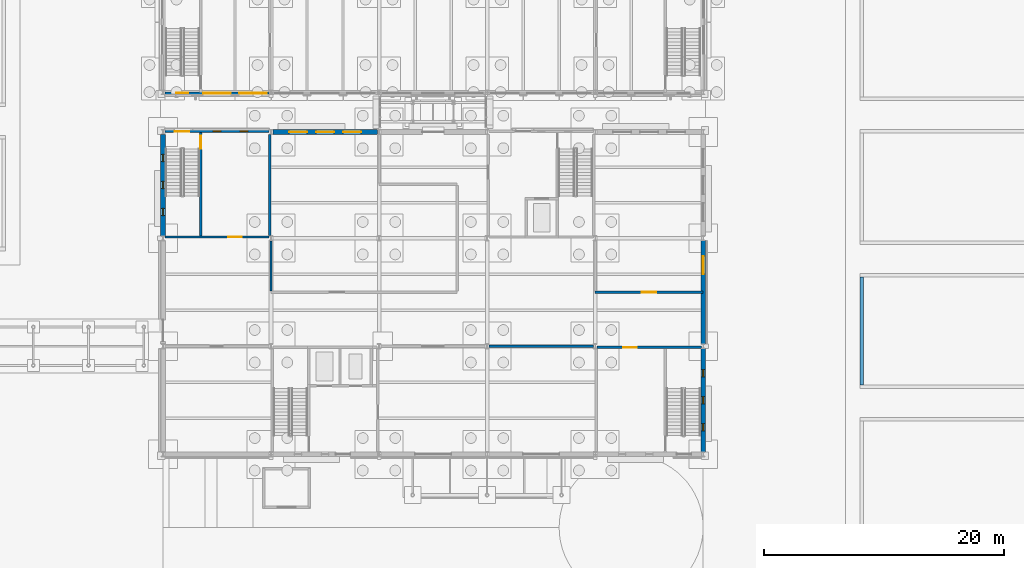
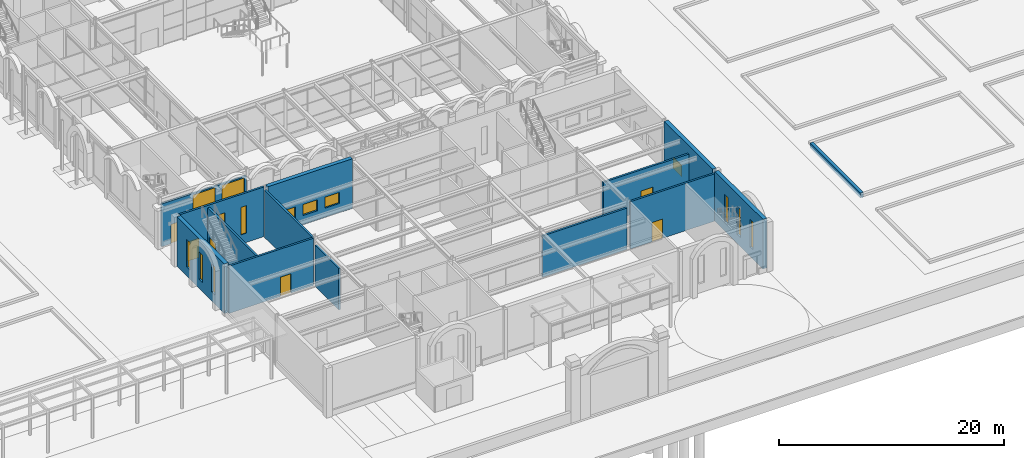
# One storey, part 70 of 126: 14 walls, 14 windows, 6 doors, 20 openings.
"""IFC4 building model written with IfcOpenShell, lengths in metres."""

from ifc_helpers import new_model, si_unit, direction, frame, frame_2d, origin, place, context, subcontext, project, spatial, rectangle, extrude, material, layer, layer_set, type_object, element, fill, save


model = new_model("IFC4")

# Units and contexts
model_context = context("Model", 3, precision=1e-05, world=origin(), true_north=direction((0.0, 1.0)))
body_context = subcontext(model_context, "Body", "Model", "MODEL_VIEW")
ifc_project = project(units=[si_unit("LENGTHUNIT", "METRE"), si_unit("AREAUNIT", "SQUARE_METRE"), si_unit("VOLUMEUNIT", "CUBIC_METRE"), si_unit("PLANEANGLEUNIT", "RADIAN"), si_unit("MASSUNIT", "GRAM", prefix="KILO")], contexts=[model_context])

# Site, building, storey
site_placement = place(None, origin())
site = spatial("IfcSite", under=ifc_project, at=site_placement, CompositionType="ELEMENT")
building_placement = place(site_placement, origin())
building = spatial("IfcBuilding", under=site, at=building_placement, Name="Kallimachos Central Library", CompositionType="ELEMENT")
storey_placement = place(building_placement, origin())
storey = spatial("IfcBuildingStorey", under=building, at=storey_placement, Name="L00", CompositionType="ELEMENT", Elevation=0.0)

# Wall
ifc_material_1 = material(Name="Concrete C30/37", Category="concrete")
ifc_layer_1 = layer(ifc_material_1, 0.199951171875)
ifc_layer_set_1 = layer_set([ifc_layer_1], Name="Compartment wall 200")
wall_type_1 = type_object("IfcWallType", Name="Compartment wall 200", PredefinedType="SOLIDWALL", material=ifc_layer_set_1)
wall_1_placement = place(storey_placement, frame((92.653564453125, 27.0, 0.0), z_axis=(0.0, 0.0, 1.0), x_axis=(1.0, 0.0, 0.0)))
element("IfcWall", 1, at=wall_1_placement, inside=storey, type_object=wall_type_1, Name="V5-WAL-L00-045", PredefinedType="SOLIDWALL", context=body_context, shape_type="SweptSolid", body=[
    extrude(rectangle(XDim=8.69287109375, YDim=0.199951171875, at=frame_2d((4.346435546875, 0.0))), origin(), (0.0, 0.0, 1.0), 4.5),
])

# Wall, opening, door
wall_2_placement = place(storey_placement, frame((101.5, 31.5, 0.0), z_axis=(0.0, 0.0, 1.0), x_axis=(1.0, 0.0, 0.0)))
wall_2 = element("IfcWall", 2, at=wall_2_placement, inside=storey, type_object=wall_type_1, Name="V5-WAL-L00-047", PredefinedType="SOLIDWALL", context=body_context, shape_type="SweptSolid", body=[
    extrude(rectangle(XDim=9.0, YDim=0.199951171875, at=frame_2d((4.5, 0.0))), origin(), (0.0, 0.0, 1.0), 4.5),
])
opening_1_placement = place(wall_2_placement, frame((3.89990234375, 0.0, 0.0)))
opening_1 = element("IfcOpeningElement", 3, at=opening_1_placement, cuts=wall_2, Name="Opening D93", PredefinedType="OPENING", context=body_context, shape_type="SweptSolid", body=[
    extrude(rectangle(XDim=1.199951171875, YDim=2.199951171875, at=frame_2d((0.60009765625, 1.10009765625))), frame((0.0, 0.10986328125, 0.0), z_axis=(0.0, -1.0, 0.0), x_axis=(1.0, 0.0, 0.0)), (0.0, 0.0, 1.0), 0.219970703125),
])
ifc_material_2 = material(Name="Steel fire door", Category="steel")
door_type_1 = type_object("IfcDoorType", Name="Fire door EI2 90 1200 x 2200", OperationType="DOUBLE_DOOR_SINGLE_SWING", PredefinedType="DOOR", material=ifc_material_2)
door_1_placement = place(opening_1_placement, origin())
door_1 = element("IfcDoor", 4, at=door_1_placement, inside=storey, type_object=door_type_1, Name="Plant Room 2 door", OperationType="DOUBLE_DOOR_SINGLE_SWING", OverallHeight=2.199951171875, OverallWidth=1.199951171875, PredefinedType="DOOR", context=body_context, shape_type="SweptSolid", body=[
    extrude(rectangle(XDim=1.199951171875, YDim=2.199951171875, at=frame_2d((0.60009765625, 1.10009765625))), frame((0.0, 0.02490234375, 0.0), z_axis=(0.0, -1.0, 0.0), x_axis=(1.0, 0.0, 0.0)), (0.0, 0.0, 1.0), 0.050048828125),
])
fill(opening_1, door_1)

# Wall
wall_3_placement = place(storey_placement, frame((74.5, 31.60009765625, 0.0), z_axis=(0.0, 0.0, 1.0), x_axis=(0.0, 1.0, 0.0)))
element("IfcWall", 5, at=wall_3_placement, inside=storey, type_object=wall_type_1, Name="V5-WAL-L00-049", PredefinedType="SOLIDWALL", context=body_context, shape_type="SweptSolid", body=[
    extrude(rectangle(XDim=4.183837890625, YDim=0.199951171875, at=frame_2d((2.091796875, 0.0))), origin(), (0.0, 0.0, 1.0), 4.5),
])

# Wall, opening, door
ifc_material_3 = material(Name="Concrete C30/37", Category="concrete")
ifc_layer_2 = layer(ifc_material_3, 0.199951171875)
ifc_layer_set_2 = layer_set([ifc_layer_2], Name="Core wall 200")
wall_type_2 = type_object("IfcWallType", Name="Core wall 200", PredefinedType="SOLIDWALL", material=ifc_layer_set_2)
wall_4_placement = place(storey_placement, frame((65.64990234375, 36.10009765625, 0.0), z_axis=(0.0, 0.0, 1.0), x_axis=(1.0, 0.0, 0.0)))
wall_4 = element("IfcWall", 6, at=wall_4_placement, inside=storey, type_object=wall_type_2, Name="V5-WAL-L00-037", PredefinedType="SOLIDWALL", context=body_context, shape_type="SweptSolid", body=[
    extrude(rectangle(XDim=8.696533203125, YDim=0.199951171875, at=frame_2d((4.34814453125, 0.0))), origin(), (0.0, 0.0, 1.0), 5.14990234375),
])
opening_2_placement = place(wall_4_placement, frame((5.300048828125, 0.0, 0.0)))
opening_2 = element("IfcOpeningElement", 7, at=opening_2_placement, cuts=wall_4, Name="Opening D87", PredefinedType="OPENING", context=body_context, shape_type="SweptSolid", body=[
    extrude(rectangle(XDim=1.10009765625, YDim=2.10009765625, at=frame_2d((0.550048828125, 1.050048828125))), frame((0.0, 0.10986328125, 0.0), z_axis=(0.0, -1.0, 0.0), x_axis=(1.0, 0.0, 0.0)), (0.0, 0.0, 1.0), 0.219970703125),
])
ifc_material_4 = material(Name="Steel fire door", Category="steel")
door_type_2 = type_object("IfcDoorType", Name="Fire door EI2 90 1100 x 2100", OperationType="NOTDEFINED", PredefinedType="DOOR", material=ifc_material_4)
door_2_placement = place(opening_2_placement, origin())
door_2 = element("IfcDoor", 8, at=door_2_placement, inside=storey, type_object=door_type_2, Name="ST15 lobby door L00", OperationType="SINGLE_SWING_RIGHT", OverallHeight=2.10009765625, OverallWidth=1.10009765625, PredefinedType="DOOR", context=body_context, shape_type="SweptSolid", body=[
    extrude(rectangle(XDim=1.10009765625, YDim=2.10009765625, at=frame_2d((0.550048828125, 1.050048828125))), frame((0.0, 0.02490234375, 0.0), z_axis=(0.0, -1.0, 0.0), x_axis=(1.0, 0.0, 0.0)), (0.0, 0.0, 1.0), 0.050048828125),
])
fill(opening_2, door_2)

# Wall
wall_5_placement = place(storey_placement, frame((74.39990234375, 36.216064453125, 0.0), z_axis=(0.0, 0.0, 1.0), x_axis=(0.0, 1.0, 0.0)))
element("IfcWall", 9, at=wall_5_placement, inside=storey, type_object=wall_type_2, Name="V5-WAL-L00-038", PredefinedType="SOLIDWALL", context=body_context, shape_type="SweptSolid", body=[
    extrude(rectangle(XDim=8.433837890625, YDim=0.199951171875, at=frame_2d((4.216796875, 0.0))), origin(), (0.0, 0.0, 1.0), 5.14990234375),
])

# Wall, opening, door
wall_6_placement = place(storey_placement, frame((68.64990234375, 36.199951171875, 0.0), z_axis=(0.0, 0.0, 1.0), x_axis=(0.0, 1.0, 0.0)))
wall_6 = element("IfcWall", 10, at=wall_6_placement, inside=storey, type_object=wall_type_2, Name="V5-WAL-L00-039", PredefinedType="SOLIDWALL", context=body_context, shape_type="SweptSolid", body=[
    extrude(rectangle(XDim=8.60009765625, YDim=0.199951171875, at=frame_2d((4.300048828125, 0.0))), origin(), (0.0, 0.0, 1.0), 5.14990234375),
])
opening_3_placement = place(wall_6_placement, frame((7.25, 0.0, 0.0)))
opening_3 = element("IfcOpeningElement", 11, at=opening_3_placement, cuts=wall_6, Name="Opening D86", PredefinedType="OPENING", context=body_context, shape_type="SweptSolid", body=[
    extrude(rectangle(XDim=1.10009765625, YDim=2.10009765625, at=frame_2d((0.550048828125, 1.050048828125))), frame((0.0, 0.10986328125, 0.0), z_axis=(0.0, -1.0, 0.0), x_axis=(1.0, 0.0, 0.0)), (0.0, 0.0, 1.0), 0.219970703125),
])
door_3_placement = place(opening_3_placement, origin())
door_3 = element("IfcDoor", 12, at=door_3_placement, inside=storey, type_object=door_type_2, Name="ST15 stair door L00", OperationType="SINGLE_SWING_LEFT", OverallHeight=2.10009765625, OverallWidth=1.10009765625, PredefinedType="DOOR", context=body_context, shape_type="SweptSolid", body=[
    extrude(rectangle(XDim=1.10009765625, YDim=2.10009765625, at=frame_2d((0.550048828125, 1.050048828125))), frame((0.0, 0.02490234375, 0.0), z_axis=(0.0, -1.0, 0.0), x_axis=(1.0, 0.0, 0.0)), (0.0, 0.0, 1.0), 0.050048828125),
])
fill(opening_3, door_3)

wall_7_placement = place(storey_placement, frame((101.653564453125, 26.89990234375, 0.0), z_axis=(0.0, 0.0, 1.0), x_axis=(1.0, 0.0, 0.0)))
wall_7 = element("IfcWall", 13, at=wall_7_placement, inside=storey, type_object=wall_type_2, Name="V5-WAL-L00-040", PredefinedType="SOLIDWALL", context=body_context, shape_type="SweptSolid", body=[
    extrude(rectangle(XDim=8.696533203125, YDim=0.199951171875, at=frame_2d((4.34814453125, 0.0))), origin(), (0.0, 0.0, 1.0), 5.14990234375),
])
opening_4_placement = place(wall_7_placement, frame((2.196533203125, 0.0, 0.0)))
opening_4 = element("IfcOpeningElement", 14, at=opening_4_placement, cuts=wall_7, Name="Opening D89", PredefinedType="OPENING", context=body_context, shape_type="SweptSolid", body=[
    extrude(rectangle(XDim=1.10009765625, YDim=2.10009765625, at=frame_2d((0.550048828125, 1.050048828125))), frame((0.0, 0.10986328125, 0.0), z_axis=(0.0, -1.0, 0.0), x_axis=(1.0, 0.0, 0.0)), (0.0, 0.0, 1.0), 0.219970703125),
])
door_4_placement = place(opening_4_placement, frame((1.10009765625, 0.0, 0.0), z_axis=(0.0, 0.0, 1.0), x_axis=(-1.0, 0.0, 0.0)))
door_4 = element("IfcDoor", 15, at=door_4_placement, inside=storey, type_object=door_type_2, Name="ST16 lobby door L00", OperationType="SINGLE_SWING_LEFT", OverallHeight=2.10009765625, OverallWidth=1.10009765625, PredefinedType="DOOR", context=body_context, shape_type="SweptSolid", body=[
    extrude(rectangle(XDim=1.10009765625, YDim=2.10009765625, at=frame_2d((0.550048828125, 1.050048828125))), frame((0.0, 0.02490234375, 0.0), z_axis=(0.0, -1.0, 0.0), x_axis=(1.0, 0.0, 0.0)), (0.0, 0.0, 1.0), 0.050048828125),
])
fill(opening_4, door_4)

# Wall
ifc_material_5 = material(Name="Granite kerb stone", Category="masonry")
ifc_layer_3 = layer(ifc_material_5, 0.300048828125)
ifc_layer_set_3 = layer_set([ifc_layer_3], Name="Granite kerb 300")
wall_type_3 = type_object("IfcWallType", Name="Granite kerb 300", PredefinedType="SOLIDWALL", material=ifc_layer_set_3)
wall_8_placement = place(storey_placement, frame((123.699951171875, 23.77490234375, -0.300048828125), z_axis=(0.0, 0.0, 1.0), x_axis=(0.0, 1.0, 0.0)))
element("IfcWall", 16, at=wall_8_placement, inside=storey, type_object=wall_type_3, Name="Garden bed kerb west 122-22", PredefinedType="SOLIDWALL", context=body_context, shape_type="SweptSolid", body=[
    extrude(rectangle(XDim=9.0, YDim=0.300048828125, at=frame_2d((4.5, 0.0))), origin(), (0.0, 0.0, 1.0), 0.550048828125),
])

# Wall, openings, windows
ifc_material_6 = material(Name="Pentelic marble masonry", Category="masonry")
ifc_layer_4 = layer(ifc_material_6, 0.39990234375)
ifc_layer_set_4 = layer_set([ifc_layer_4], Name="Stone masonry wall 400")
wall_type_4 = type_object("IfcWallType", Name="Stone masonry wall 400", PredefinedType="SOLIDWALL", material=ifc_layer_set_4)
wall_9_placement = place(storey_placement, frame((74.64990234375, 44.85009765625, 0.0), z_axis=(0.0, 0.0, 1.0), x_axis=(1.0, 0.0, 0.0)))
wall_9 = element("IfcWall", 17, at=wall_9_placement, inside=storey, type_object=wall_type_4, Name="V5-WAL-L00-016", PredefinedType="SOLIDWALL", context=body_context, shape_type="SweptSolid", body=[
    extrude(rectangle(XDim=8.7001953125, YDim=0.39990234375, at=frame_2d((4.35009765625, 0.0))), origin(), (0.0, 0.0, 1.0), 5.39990234375),
])
opening_5_placement = place(wall_9_placement, frame((1.35009765625, 0.0, 1.0)))
opening_5 = element("IfcOpeningElement", 18, at=opening_5_placement, cuts=wall_9, Name="Opening WN14", PredefinedType="OPENING", context=body_context, shape_type="SweptSolid", body=[
    extrude(rectangle(XDim=1.5, YDim=1.199951171875, at=frame_2d((0.75, 0.60009765625))), frame((0.0, 0.2099609375, 0.0), z_axis=(0.0, -1.0, 0.0), x_axis=(1.0, 0.0, 0.0)), (0.0, 0.0, 1.0), 0.419921875),
])
opening_6_placement = place(wall_9_placement, frame((3.60009765625, 0.0, 1.0)))
opening_6 = element("IfcOpeningElement", 19, at=opening_6_placement, cuts=wall_9, Name="Opening WN15", PredefinedType="OPENING", context=body_context, shape_type="SweptSolid", body=[
    extrude(rectangle(XDim=1.5, YDim=1.199951171875, at=frame_2d((0.75, 0.60009765625))), frame((0.0, 0.2099609375, 0.0), z_axis=(0.0, -1.0, 0.0), x_axis=(1.0, 0.0, 0.0)), (0.0, 0.0, 1.0), 0.419921875),
])
opening_7_placement = place(wall_9_placement, frame((5.85009765625, 0.0, 1.0)))
opening_7 = element("IfcOpeningElement", 20, at=opening_7_placement, cuts=wall_9, Name="Opening WN16", PredefinedType="OPENING", context=body_context, shape_type="SweptSolid", body=[
    extrude(rectangle(XDim=1.5, YDim=1.199951171875, at=frame_2d((0.75, 0.60009765625))), frame((0.0, 0.2099609375, 0.0), z_axis=(0.0, -1.0, 0.0), x_axis=(1.0, 0.0, 0.0)), (0.0, 0.0, 1.0), 0.419921875),
])
ifc_material_7 = material(Name="Anodised aluminium louvre", Category="aluminium")
window_type_1 = type_object("IfcWindowType", Name="Plant louvre 1500 x 1200", PartitioningType="SINGLE_PANEL", PredefinedType="WINDOW", material=ifc_material_7)
window_1_placement = place(opening_5_placement, origin())
window_1 = element("IfcWindow", 21, at=window_1_placement, inside=storey, type_object=window_type_1, Name="V5-WIN-L00-007", OverallHeight=1.199951171875, OverallWidth=1.5, PartitioningType="SINGLE_PANEL", PredefinedType="WINDOW", context=body_context, shape_type="SweptSolid", body=[
    extrude(rectangle(XDim=1.5, YDim=1.199951171875, at=frame_2d((0.75, 0.60009765625))), frame((0.0, 0.030029296875, 0.0), z_axis=(0.0, -1.0, 0.0), x_axis=(1.0, 0.0, 0.0)), (0.0, 0.0, 1.0), 0.06005859375),
])
fill(opening_5, window_1)
window_2_placement = place(opening_6_placement, origin())
window_2 = element("IfcWindow", 22, at=window_2_placement, inside=storey, type_object=window_type_1, Name="V5-WIN-L00-008", OverallHeight=1.199951171875, OverallWidth=1.5, PartitioningType="SINGLE_PANEL", PredefinedType="WINDOW", context=body_context, shape_type="SweptSolid", body=[
    extrude(rectangle(XDim=1.5, YDim=1.199951171875, at=frame_2d((0.75, 0.60009765625))), frame((0.0, 0.030029296875, 0.0), z_axis=(0.0, -1.0, 0.0), x_axis=(1.0, 0.0, 0.0)), (0.0, 0.0, 1.0), 0.06005859375),
])
fill(opening_6, window_2)
window_3_placement = place(opening_7_placement, origin())
window_3 = element("IfcWindow", 23, at=window_3_placement, inside=storey, type_object=window_type_1, Name="V5-WIN-L00-009", OverallHeight=1.199951171875, OverallWidth=1.5, PartitioningType="SINGLE_PANEL", PredefinedType="WINDOW", context=body_context, shape_type="SweptSolid", body=[
    extrude(rectangle(XDim=1.5, YDim=1.199951171875, at=frame_2d((0.75, 0.60009765625))), frame((0.0, 0.030029296875, 0.0), z_axis=(0.0, -1.0, 0.0), x_axis=(1.0, 0.0, 0.0)), (0.0, 0.0, 1.0), 0.06005859375),
])
fill(opening_7, window_3)

# Wall, opening, window
wall_10_placement = place(storey_placement, frame((110.5, 27.199951171875, 0.0), z_axis=(0.0, 0.0, 1.0), x_axis=(0.0, 1.0, 0.0)))
wall_10 = element("IfcWall", 24, at=wall_10_placement, inside=storey, type_object=wall_type_4, Name="V5-WAL-L00-024", PredefinedType="SOLIDWALL", context=body_context, shape_type="SweptSolid", body=[
    extrude(rectangle(XDim=8.60009765625, YDim=0.39990234375, at=frame_2d((4.300048828125, 0.0))), origin(), (0.0, 0.0, 1.0), 5.39990234375),
])
opening_8_placement = place(wall_10_placement, frame((5.800048828125, 0.0, 1.0)))
opening_8 = element("IfcOpeningElement", 25, at=opening_8_placement, cuts=wall_10, Name="Opening WN28", PredefinedType="OPENING", context=body_context, shape_type="SweptSolid", body=[
    extrude(rectangle(XDim=1.5, YDim=1.199951171875, at=frame_2d((0.75, 0.60009765625))), frame((0.0, 0.2099609375, 0.0), z_axis=(0.0, -1.0, 0.0), x_axis=(1.0, 0.0, 0.0)), (0.0, 0.0, 1.0), 0.419921875),
])
window_4_placement = place(opening_8_placement, origin())
window_4 = element("IfcWindow", 26, at=window_4_placement, inside=storey, type_object=window_type_1, Name="V5-WIN-L00-021", OverallHeight=1.199951171875, OverallWidth=1.5, PartitioningType="SINGLE_PANEL", PredefinedType="WINDOW", context=body_context, shape_type="SweptSolid", body=[
    extrude(rectangle(XDim=1.5, YDim=1.199951171875, at=frame_2d((0.75, 0.60009765625))), frame((0.0, 0.030029296875, 0.0), z_axis=(0.0, -1.0, 0.0), x_axis=(1.0, 0.0, 0.0)), (0.0, 0.0, 1.0), 0.06005859375),
])
fill(opening_8, window_4)

# Wall, openings, door, windows
ifc_material_8 = material(Name="Concrete C30/37", Category="concrete")
ifc_layer_5 = layer(ifc_material_8, 0.199951171875)
ifc_layer_set_5 = layer_set([ifc_layer_5], Name="Stone-clad core wall 200")
wall_type_5 = type_object("IfcWallType", Name="Stone-clad core wall 200", PredefinedType="SOLIDWALL", material=ifc_layer_set_5)
wall_11_placement = place(storey_placement, frame((65.64990234375, 44.89990234375, 0.0), z_axis=(0.0, 0.0, 1.0), x_axis=(1.0, 0.0, 0.0)))
wall_11 = element("IfcWall", 27, at=wall_11_placement, inside=storey, type_object=wall_type_5, Name="V5-WAL-L00-015", PredefinedType="SOLIDWALL", context=body_context, shape_type="SweptSolid", body=[
    extrude(rectangle(XDim=8.7001953125, YDim=0.199951171875, at=frame_2d((4.35009765625, 0.0))), origin(), (0.0, 0.0, 1.0), 5.39990234375),
])
opening_9_placement = place(wall_11_placement, frame((0.85009765625, 0.0, 0.0)))
opening_9 = element("IfcOpeningElement", 28, at=opening_9_placement, cuts=wall_11, Name="Opening D21", PredefinedType="OPENING", context=body_context, shape_type="SweptSolid", body=[
    extrude(rectangle(XDim=1.199951171875, YDim=2.10009765625, at=frame_2d((0.60009765625, 1.050048828125))), frame((0.0, 0.10986328125, 0.0), z_axis=(0.0, -1.0, 0.0), x_axis=(1.0, 0.0, 0.0)), (0.0, 0.0, 1.0), 0.219970703125),
])
opening_10_placement = place(wall_11_placement, frame((4.050048828125, 0.0, 1.0)))
opening_10 = element("IfcOpeningElement", 29, at=opening_10_placement, cuts=wall_11, Name="Opening WN12", PredefinedType="OPENING", context=body_context, shape_type="SweptSolid", body=[
    extrude(rectangle(XDim=0.60009765625, YDim=3.0, at=frame_2d((0.300048828125, 1.5))), frame((0.0, 0.10986328125, 0.0), z_axis=(0.0, -1.0, 0.0), x_axis=(1.0, 0.0, 0.0)), (0.0, 0.0, 1.0), 0.219970703125),
])
opening_11_placement = place(wall_11_placement, frame((6.300048828125, 0.0, 1.0)))
opening_11 = element("IfcOpeningElement", 30, at=opening_11_placement, cuts=wall_11, Name="Opening WN13", PredefinedType="OPENING", context=body_context, shape_type="SweptSolid", body=[
    extrude(rectangle(XDim=0.60009765625, YDim=3.0, at=frame_2d((0.300048828125, 1.5))), frame((0.0, 0.10986328125, 0.0), z_axis=(0.0, -1.0, 0.0), x_axis=(1.0, 0.0, 0.0)), (0.0, 0.0, 1.0), 0.219970703125),
])
ifc_material_9 = material(Name="Steel fire door", Category="steel")
door_type_3 = type_object("IfcDoorType", Name="Fire door EI2 90 1200 x 2100", OperationType="DOUBLE_DOOR_SINGLE_SWING", PredefinedType="DOOR", material=ifc_material_9)
door_5_placement = place(opening_9_placement, origin())
door_5 = element("IfcDoor", 31, at=door_5_placement, inside=storey, type_object=door_type_3, Name="Exit Door W stair", OperationType="DOUBLE_DOOR_SINGLE_SWING", OverallHeight=2.10009765625, OverallWidth=1.199951171875, PredefinedType="DOOR", context=body_context, shape_type="SweptSolid", body=[
    extrude(rectangle(XDim=1.199951171875, YDim=2.10009765625, at=frame_2d((0.60009765625, 1.050048828125))), frame((0.0, 0.02490234375, 0.0), z_axis=(0.0, -1.0, 0.0), x_axis=(1.0, 0.0, 0.0)), (0.0, 0.0, 1.0), 0.050048828125),
])
fill(opening_9, door_5)
ifc_material_10 = material(Name="Anodised aluminium and laminated glass", Category="aluminium")
window_type_2 = type_object("IfcWindowType", Name="Tall slot window 600 x 3000", PartitioningType="SINGLE_PANEL", PredefinedType="WINDOW", material=ifc_material_10)
window_5_placement = place(opening_10_placement, origin())
window_5 = element("IfcWindow", 32, at=window_5_placement, inside=storey, type_object=window_type_2, Name="V5-WIN-L00-005", OverallHeight=3.0, OverallWidth=0.60009765625, PartitioningType="SINGLE_PANEL", PredefinedType="WINDOW", context=body_context, shape_type="SweptSolid", body=[
    extrude(rectangle(XDim=0.60009765625, YDim=3.0, at=frame_2d((0.300048828125, 1.5))), frame((0.0, 0.030029296875, 0.0), z_axis=(0.0, -1.0, 0.0), x_axis=(1.0, 0.0, 0.0)), (0.0, 0.0, 1.0), 0.06005859375),
])
fill(opening_10, window_5)
window_6_placement = place(opening_11_placement, origin())
window_6 = element("IfcWindow", 33, at=window_6_placement, inside=storey, type_object=window_type_2, Name="V5-WIN-L00-006", OverallHeight=3.0, OverallWidth=0.60009765625, PartitioningType="SINGLE_PANEL", PredefinedType="WINDOW", context=body_context, shape_type="SweptSolid", body=[
    extrude(rectangle(XDim=0.60009765625, YDim=3.0, at=frame_2d((0.300048828125, 1.5))), frame((0.0, 0.030029296875, 0.0), z_axis=(0.0, -1.0, 0.0), x_axis=(1.0, 0.0, 0.0)), (0.0, 0.0, 1.0), 0.06005859375),
])
fill(opening_11, window_6)

# Wall, openings, windows
ifc_material_11 = material(Name="Concrete C30/37", Category="concrete")
ifc_layer_6 = layer(ifc_material_11, 0.39990234375)
ifc_layer_set_6 = layer_set([ifc_layer_6], Name="Stone-clad core wall 400")
wall_type_6 = type_object("IfcWallType", Name="Stone-clad core wall 400", PredefinedType="SOLIDWALL", material=ifc_layer_set_6)
wall_12_placement = place(storey_placement, frame((65.5, 36.199951171875, 0.0), z_axis=(0.0, 0.0, 1.0), x_axis=(0.0, 1.0, 0.0)))
wall_12 = element("IfcWall", 34, at=wall_12_placement, inside=storey, type_object=wall_type_6, Name="V5-WAL-L00-022", PredefinedType="SOLIDWALL", context=body_context, shape_type="SweptSolid", body=[
    extrude(rectangle(XDim=8.449951171875, YDim=0.39990234375, at=frame_2d((4.22509765625, 0.0))), origin(), (0.0, 0.0, 1.0), 5.39990234375),
])
opening_12_placement = place(wall_12_placement, frame((1.675048828125, 0.0, 1.0)))
opening_12 = element("IfcOpeningElement", 35, at=opening_12_placement, cuts=wall_12, Name="Opening WN22", PredefinedType="OPENING", context=body_context, shape_type="SweptSolid", body=[
    extrude(rectangle(XDim=0.60009765625, YDim=3.0, at=frame_2d((0.300048828125, 1.5))), frame((0.0, 0.2099609375, 0.0), z_axis=(0.0, -1.0, 0.0), x_axis=(1.0, 0.0, 0.0)), (0.0, 0.0, 1.0), 0.419921875),
])
opening_13_placement = place(wall_12_placement, frame((3.925048828125, 0.0, 1.0)))
opening_13 = element("IfcOpeningElement", 36, at=opening_13_placement, cuts=wall_12, Name="Opening WN23", PredefinedType="OPENING", context=body_context, shape_type="SweptSolid", body=[
    extrude(rectangle(XDim=0.60009765625, YDim=3.0, at=frame_2d((0.300048828125, 1.5))), frame((0.0, 0.2099609375, 0.0), z_axis=(0.0, -1.0, 0.0), x_axis=(1.0, 0.0, 0.0)), (0.0, 0.0, 1.0), 0.419921875),
])
opening_14_placement = place(wall_12_placement, frame((6.175048828125, 0.0, 1.0)))
opening_14 = element("IfcOpeningElement", 37, at=opening_14_placement, cuts=wall_12, Name="Opening WN24", PredefinedType="OPENING", context=body_context, shape_type="SweptSolid", body=[
    extrude(rectangle(XDim=0.60009765625, YDim=3.0, at=frame_2d((0.300048828125, 1.5))), frame((0.0, 0.2099609375, 0.0), z_axis=(0.0, -1.0, 0.0), x_axis=(1.0, 0.0, 0.0)), (0.0, 0.0, 1.0), 0.419921875),
])
window_7_placement = place(opening_12_placement, origin())
window_7 = element("IfcWindow", 38, at=window_7_placement, inside=storey, type_object=window_type_2, Name="V5-WIN-L00-015", OverallHeight=3.0, OverallWidth=0.60009765625, PartitioningType="SINGLE_PANEL", PredefinedType="WINDOW", context=body_context, shape_type="SweptSolid", body=[
    extrude(rectangle(XDim=0.60009765625, YDim=3.0, at=frame_2d((0.300048828125, 1.5))), frame((0.0, 0.030029296875, 0.0), z_axis=(0.0, -1.0, 0.0), x_axis=(1.0, 0.0, 0.0)), (0.0, 0.0, 1.0), 0.06005859375),
])
fill(opening_12, window_7)
window_8_placement = place(opening_13_placement, origin())
window_8 = element("IfcWindow", 39, at=window_8_placement, inside=storey, type_object=window_type_2, Name="V5-WIN-L00-016", OverallHeight=3.0, OverallWidth=0.60009765625, PartitioningType="SINGLE_PANEL", PredefinedType="WINDOW", context=body_context, shape_type="SweptSolid", body=[
    extrude(rectangle(XDim=0.60009765625, YDim=3.0, at=frame_2d((0.300048828125, 1.5))), frame((0.0, 0.030029296875, 0.0), z_axis=(0.0, -1.0, 0.0), x_axis=(1.0, 0.0, 0.0)), (0.0, 0.0, 1.0), 0.06005859375),
])
fill(opening_13, window_8)
window_9_placement = place(opening_14_placement, origin())
window_9 = element("IfcWindow", 40, at=window_9_placement, inside=storey, type_object=window_type_2, Name="V5-WIN-L00-017", OverallHeight=3.0, OverallWidth=0.60009765625, PartitioningType="SINGLE_PANEL", PredefinedType="WINDOW", context=body_context, shape_type="SweptSolid", body=[
    extrude(rectangle(XDim=0.60009765625, YDim=3.0, at=frame_2d((0.300048828125, 1.5))), frame((0.0, 0.030029296875, 0.0), z_axis=(0.0, -1.0, 0.0), x_axis=(1.0, 0.0, 0.0)), (0.0, 0.0, 1.0), 0.06005859375),
])
fill(opening_14, window_9)

wall_13_placement = place(storey_placement, frame((110.5, 18.199951171875, 0.0), z_axis=(0.0, 0.0, 1.0), x_axis=(0.0, 1.0, 0.0)))
wall_13 = element("IfcWall", 41, at=wall_13_placement, inside=storey, type_object=wall_type_6, Name="V5-WAL-L00-023", PredefinedType="SOLIDWALL", context=body_context, shape_type="SweptSolid", body=[
    extrude(rectangle(XDim=8.60009765625, YDim=0.39990234375, at=frame_2d((4.300048828125, 0.0))), origin(), (0.0, 0.0, 1.0), 5.39990234375),
])
opening_15_placement = place(wall_13_placement, frame((1.75, 0.0, 1.0)))
opening_15 = element("IfcOpeningElement", 42, at=opening_15_placement, cuts=wall_13, Name="Opening WN25", PredefinedType="OPENING", context=body_context, shape_type="SweptSolid", body=[
    extrude(rectangle(XDim=0.60009765625, YDim=3.0, at=frame_2d((0.300048828125, 1.5))), frame((0.0, 0.2099609375, 0.0), z_axis=(0.0, -1.0, 0.0), x_axis=(1.0, 0.0, 0.0)), (0.0, 0.0, 1.0), 0.419921875),
])
opening_16_placement = place(wall_13_placement, frame((4.0, 0.0, 1.0)))
opening_16 = element("IfcOpeningElement", 43, at=opening_16_placement, cuts=wall_13, Name="Opening WN26", PredefinedType="OPENING", context=body_context, shape_type="SweptSolid", body=[
    extrude(rectangle(XDim=0.60009765625, YDim=3.0, at=frame_2d((0.300048828125, 1.5))), frame((0.0, 0.2099609375, 0.0), z_axis=(0.0, -1.0, 0.0), x_axis=(1.0, 0.0, 0.0)), (0.0, 0.0, 1.0), 0.419921875),
])
opening_17_placement = place(wall_13_placement, frame((6.25, 0.0, 1.0)))
opening_17 = element("IfcOpeningElement", 44, at=opening_17_placement, cuts=wall_13, Name="Opening WN27", PredefinedType="OPENING", context=body_context, shape_type="SweptSolid", body=[
    extrude(rectangle(XDim=0.60009765625, YDim=3.0, at=frame_2d((0.300048828125, 1.5))), frame((0.0, 0.2099609375, 0.0), z_axis=(0.0, -1.0, 0.0), x_axis=(1.0, 0.0, 0.0)), (0.0, 0.0, 1.0), 0.419921875),
])
window_10_placement = place(opening_15_placement, origin())
window_10 = element("IfcWindow", 45, at=window_10_placement, inside=storey, type_object=window_type_2, Name="V5-WIN-L00-018", OverallHeight=3.0, OverallWidth=0.60009765625, PartitioningType="SINGLE_PANEL", PredefinedType="WINDOW", context=body_context, shape_type="SweptSolid", body=[
    extrude(rectangle(XDim=0.60009765625, YDim=3.0, at=frame_2d((0.300048828125, 1.5))), frame((0.0, 0.030029296875, 0.0), z_axis=(0.0, -1.0, 0.0), x_axis=(1.0, 0.0, 0.0)), (0.0, 0.0, 1.0), 0.06005859375),
])
fill(opening_15, window_10)
window_11_placement = place(opening_16_placement, origin())
window_11 = element("IfcWindow", 46, at=window_11_placement, inside=storey, type_object=window_type_2, Name="V5-WIN-L00-019", OverallHeight=3.0, OverallWidth=0.60009765625, PartitioningType="SINGLE_PANEL", PredefinedType="WINDOW", context=body_context, shape_type="SweptSolid", body=[
    extrude(rectangle(XDim=0.60009765625, YDim=3.0, at=frame_2d((0.300048828125, 1.5))), frame((0.0, 0.030029296875, 0.0), z_axis=(0.0, -1.0, 0.0), x_axis=(1.0, 0.0, 0.0)), (0.0, 0.0, 1.0), 0.06005859375),
])
fill(opening_16, window_11)
window_12_placement = place(opening_17_placement, origin())
window_12 = element("IfcWindow", 47, at=window_12_placement, inside=storey, type_object=window_type_2, Name="V5-WIN-L00-020", OverallHeight=3.0, OverallWidth=0.60009765625, PartitioningType="SINGLE_PANEL", PredefinedType="WINDOW", context=body_context, shape_type="SweptSolid", body=[
    extrude(rectangle(XDim=0.60009765625, YDim=3.0, at=frame_2d((0.300048828125, 1.5))), frame((0.0, 0.030029296875, 0.0), z_axis=(0.0, -1.0, 0.0), x_axis=(1.0, 0.0, 0.0)), (0.0, 0.0, 1.0), 0.06005859375),
])
fill(opening_17, window_12)

# Wall, openings, door, windows
ifc_material_12 = material(Name="Brick masonry with Pentelic marble cladding", Category="masonry")
ifc_layer_7 = layer(ifc_material_12, 0.199951171875)
ifc_layer_set_7 = layer_set([ifc_layer_7], Name="Stone-clad masonry wall 200, EI 120")
wall_type_7 = type_object("IfcWallType", Name="Stone-clad masonry wall 200, EI 120", PredefinedType="SOLIDWALL", material=ifc_layer_set_7)
wall_14_placement = place(storey_placement, frame((65.64990234375, 48.080078125, 0.0), z_axis=(0.0, 0.0, 1.0), x_axis=(1.0, 0.0, 0.0)))
wall_14 = element("IfcWall", 48, at=wall_14_placement, inside=storey, type_object=wall_type_7, Name="V4-WAL-L00-015", PredefinedType="SOLIDWALL", context=body_context, shape_type="SweptSolid", body=[
    extrude(rectangle(XDim=8.7001953125, YDim=0.199951171875, at=frame_2d((4.35009765625, 0.0))), origin(), (0.0, 0.0, 1.0), 4.64990234375),
])
opening_18_placement = place(wall_14_placement, frame((0.949951171875, 0.0, 0.0)))
opening_18 = element("IfcOpeningElement", 49, at=opening_18_placement, cuts=wall_14, Name="Opening D25", PredefinedType="OPENING", context=body_context, shape_type="SweptSolid", body=[
    extrude(rectangle(XDim=1.0, YDim=2.10009765625, at=frame_2d((0.5, 1.050048828125))), frame((0.0, 0.10986328125, 0.0), z_axis=(0.0, -1.0, 0.0), x_axis=(1.0, 0.0, 0.0)), (0.0, 0.0, 1.0), 0.219970703125),
])
opening_19_placement = place(wall_14_placement, frame((3.199951171875, 0.0, 0.89990234375)))
opening_19 = element("IfcOpeningElement", 50, at=opening_19_placement, cuts=wall_14, Name="Opening WN267", PredefinedType="OPENING", context=body_context, shape_type="SweptSolid", body=[
    extrude(rectangle(XDim=2.300048828125, YDim=3.60009765625, at=frame_2d((1.14990234375, 1.800048828125))), frame((0.0, 0.10986328125, 0.0), z_axis=(0.0, -1.0, 0.0), x_axis=(1.0, 0.0, 0.0)), (0.0, 0.0, 1.0), 0.219970703125),
])
opening_20_placement = place(wall_14_placement, frame((6.199951171875, 0.0, 0.89990234375)))
opening_20 = element("IfcOpeningElement", 51, at=opening_20_placement, cuts=wall_14, Name="Opening WN267", PredefinedType="OPENING", context=body_context, shape_type="SweptSolid", body=[
    extrude(rectangle(XDim=2.300048828125, YDim=3.60009765625, at=frame_2d((1.14990234375, 1.800048828125))), frame((0.0, 0.10986328125, 0.0), z_axis=(0.0, -1.0, 0.0), x_axis=(1.0, 0.0, 0.0)), (0.0, 0.0, 1.0), 0.219970703125),
])
ifc_material_13 = material(Name="Timber", Category="wood")
door_type_4 = type_object("IfcDoorType", Name="Single leaf door 1000 x 2100", OperationType="NOTDEFINED", PredefinedType="DOOR", material=ifc_material_13)
door_6_placement = place(opening_18_placement, frame((1.0, 0.0, 0.0), z_axis=(0.0, 0.0, 1.0), x_axis=(-1.0, 0.0, 0.0)))
door_6 = element("IfcDoor", 52, at=door_6_placement, inside=storey, type_object=door_type_4, Name="Exit Door", OperationType="SINGLE_SWING_LEFT", OverallHeight=2.10009765625, OverallWidth=1.0, PredefinedType="DOOR", context=body_context, shape_type="SweptSolid", body=[
    extrude(rectangle(XDim=1.0, YDim=2.10009765625, at=frame_2d((0.5, 1.050048828125))), frame((0.0, 0.02490234375, 0.0), z_axis=(0.0, -1.0, 0.0), x_axis=(1.0, 0.0, 0.0)), (0.0, 0.0, 1.0), 0.050048828125),
])
fill(opening_18, door_6)
ifc_material_14 = material(Name="Anodised aluminium and laminated glass", Category="aluminium")
window_type_3 = type_object("IfcWindowType", Name="Window 2300 x 3600, EI 120", PartitioningType="DOUBLE_PANEL_VERTICAL", PredefinedType="WINDOW", material=ifc_material_14)
window_13_placement = place(opening_19_placement, origin())
window_13 = element("IfcWindow", 53, at=window_13_placement, inside=storey, type_object=window_type_3, Name="V4-WIN-L00-001", OverallHeight=3.60009765625, OverallWidth=2.300048828125, PartitioningType="SINGLE_PANEL", PredefinedType="WINDOW", context=body_context, shape_type="SweptSolid", body=[
    extrude(rectangle(XDim=2.300048828125, YDim=3.60009765625, at=frame_2d((1.14990234375, 1.800048828125))), frame((0.0, 0.030029296875, 0.0), z_axis=(0.0, -1.0, 0.0), x_axis=(1.0, 0.0, 0.0)), (0.0, 0.0, 1.0), 0.06005859375),
])
fill(opening_19, window_13)
window_14_placement = place(opening_20_placement, origin())
window_14 = element("IfcWindow", 54, at=window_14_placement, inside=storey, type_object=window_type_3, Name="V4-WIN-L00-002", OverallHeight=3.60009765625, OverallWidth=2.300048828125, PartitioningType="SINGLE_PANEL", PredefinedType="WINDOW", context=body_context, shape_type="SweptSolid", body=[
    extrude(rectangle(XDim=2.300048828125, YDim=3.60009765625, at=frame_2d((1.14990234375, 1.800048828125))), frame((0.0, 0.030029296875, 0.0), z_axis=(0.0, -1.0, 0.0), x_axis=(1.0, 0.0, 0.0)), (0.0, 0.0, 1.0), 0.06005859375),
])
fill(opening_20, window_14)

save(model, "model.ifc")
